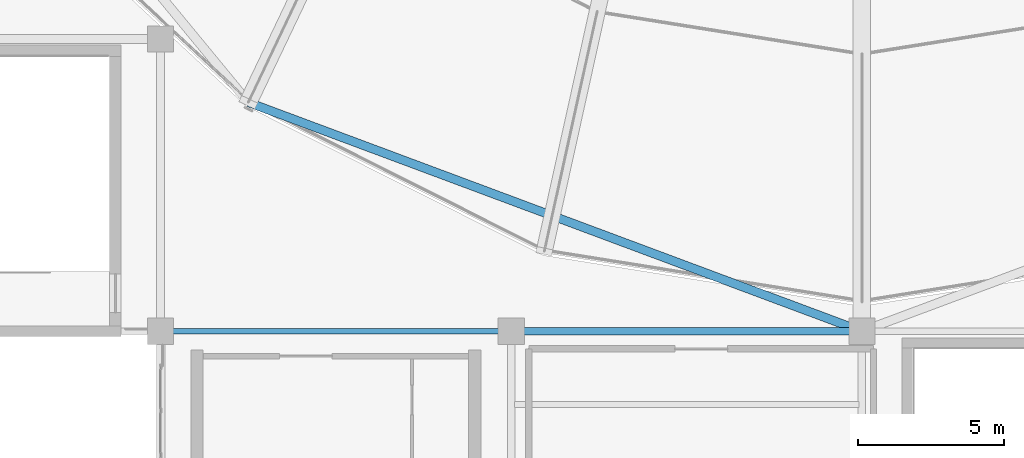
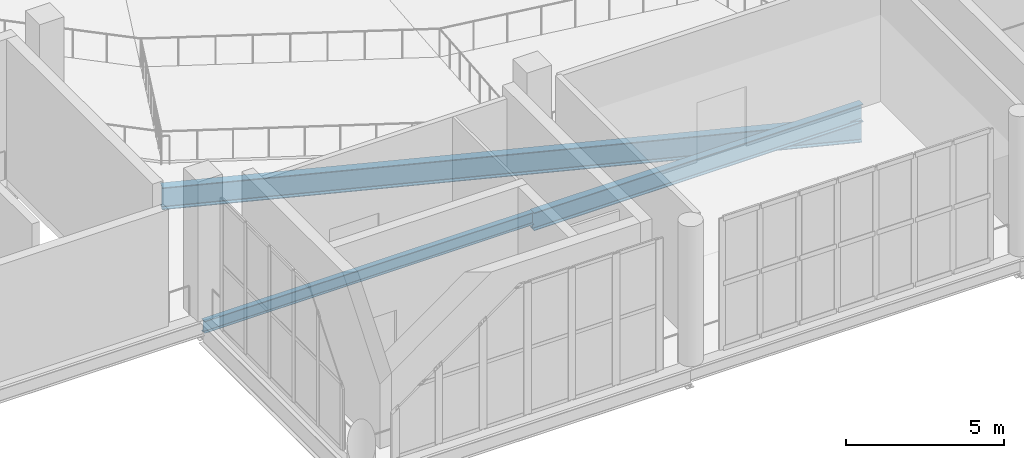
# One storey, part 11 of 74: 3 beams.
"""IFC4 building model written with IfcOpenShell, lengths in metres."""

from ifc_helpers import new_model, si_unit, direction, frame, origin, origin_2d, place, context, subcontext, project, spatial, i_section, extrude, material, material_profile, profile_set, type_object, element, save


model = new_model("IFC4")

# Units and contexts
model_context = context("Model", 3, precision=1e-05, world=origin(), true_north=direction((0.0, 1.0)))
body_context = subcontext(model_context, "Body", "Model", "MODEL_VIEW")
ifc_project = project(units=[si_unit("LENGTHUNIT", "METRE"), si_unit("AREAUNIT", "SQUARE_METRE"), si_unit("VOLUMEUNIT", "CUBIC_METRE"), si_unit("PLANEANGLEUNIT", "RADIAN"), si_unit("MASSUNIT", "GRAM", prefix="KILO")], contexts=[model_context])

# Site, building, storey
site_placement = place(None, origin())
site = spatial("IfcSite", under=ifc_project, at=site_placement, CompositionType="ELEMENT")
building_placement = place(site_placement, origin())
building = spatial("IfcBuilding", under=site, at=building_placement, Name="Brinegate Civic Arena", CompositionType="ELEMENT")
storey_placement = place(building_placement, frame((0.0, 0.0, 19.199951171875)))
storey = spatial("IfcBuildingStorey", under=building, at=storey_placement, Name="L04", CompositionType="ELEMENT", Elevation=19.199951171875)

# Beams
ifc_material = material(Name="Steel S355", Category="steel")
ifc_material_profile_1 = material_profile(ifc_material, i_section(OverallWidth=0.2939453125, OverallDepth=0.85107421875, WebThickness=0.01611328125, FlangeThickness=0.027099609375, FilletRadius=0.02197265625, at=origin_2d()), Name="W840X226")
ifc_profile_set_1 = profile_set([ifc_material_profile_1], Name="Steel S355")
beam_type_1 = type_object("IfcBeamType", Name="RING-W840X226", PredefinedType="BEAM", material=ifc_profile_set_1)
beam_1_placement = place(storey_placement, frame((87.0, 17.8330078125, -1.375), z_axis=(0.936943694813, -0.34948034673, 0.0), x_axis=(0.34948034673, 0.936943694813, 0.0)))
element("IfcBeam", 1, at=beam_1_placement, inside=storey, type_object=beam_type_1, Name="Bowl Ring Girder RG-BOWL-09", PredefinedType="BEAM", context=body_context, shape_type="SweptSolid", body=[
    extrude(i_section(OverallWidth=0.2939453125, OverallDepth=0.85107421875, WebThickness=0.01611328125, FlangeThickness=0.027099609375, FilletRadius=0.02197265625, at=origin_2d()), origin(), (0.0, 0.0, 1.0), 22.413330078125),
])
ifc_material_profile_2 = material_profile(ifc_material, i_section(OverallWidth=0.193115234375, OverallDepth=0.466064453125, WebThickness=0.010986328125, FlangeThickness=0.01904296875, FilletRadius=0.014892578125, at=origin_2d()), Name="W460X97")
ifc_profile_set_2 = profile_set([ifc_material_profile_2], Name="Steel S355")
beam_type_2 = type_object("IfcBeamType", Name="SPANDREL-W460X97", PredefinedType="SPANDREL", material=ifc_profile_set_2)
beam_2_placement = place(storey_placement, frame((84.0, 10.0, -0.572998046875), z_axis=(1.0, 0.0, 0.0), x_axis=(0.0, 1.0, 0.0)))
element("IfcBeam", 2, at=beam_2_placement, inside=storey, type_object=beam_type_2, Name="Floor Girder BM-L04-GX-07-01", PredefinedType="SPANDREL", context=body_context, shape_type="SweptSolid", body=[
    extrude(i_section(OverallWidth=0.193115234375, OverallDepth=0.466064453125, WebThickness=0.010986328125, FlangeThickness=0.01904296875, FilletRadius=0.014892578125, at=origin_2d()), origin(), (0.0, 0.0, 1.0), 12.0),
])
ifc_material_profile_3 = material_profile(ifc_material, i_section(OverallWidth=0.256103515625, OverallDepth=0.693115234375, WebThickness=0.014892578125, FlangeThickness=0.02392578125, FilletRadius=0.01806640625, at=origin_2d()), Name="W690X170")
ifc_profile_set_3 = profile_set([ifc_material_profile_3], Name="Steel S355")
beam_type_3 = type_object("IfcBeamType", Name="SPANDREL-W690X170", PredefinedType="SPANDREL", material=ifc_profile_set_3)
beam_3_placement = place(storey_placement, frame((96.0, 10.0, -0.68603515625), z_axis=(1.0, 0.0, 0.0), x_axis=(0.0, 1.0, 0.0)))
element("IfcBeam", 3, at=beam_3_placement, inside=storey, type_object=beam_type_3, Name="Floor Girder BM-L04-GX-08-01", PredefinedType="SPANDREL", context=body_context, shape_type="SweptSolid", body=[
    extrude(i_section(OverallWidth=0.256103515625, OverallDepth=0.693115234375, WebThickness=0.014892578125, FlangeThickness=0.02392578125, FilletRadius=0.01806640625, at=origin_2d()), origin(), (0.0, 0.0, 1.0), 12.0),
])

save(model, "model.ifc")
